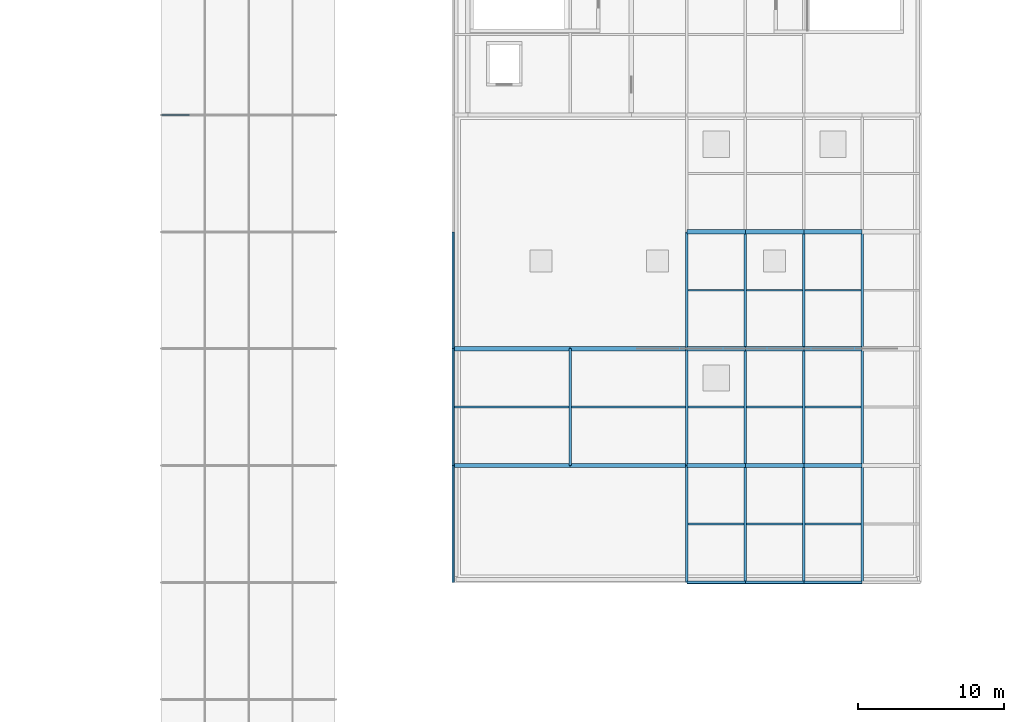
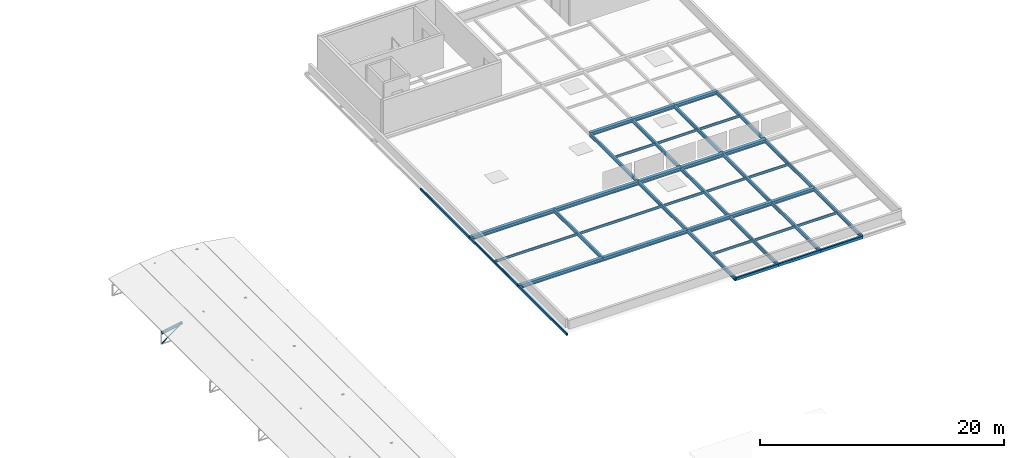
# One storey, part 43 of 54: 43 beams, 2 members.
"""IFC4 building model written with IfcOpenShell, lengths in metres."""

from ifc_helpers import new_model, si_unit, derived_unit, direction, frame, origin, origin_2d, place, context, subcontext, project, spatial, hollow_rectangle, hollow_circle, i_section, extrude, material, material_profile, profile_set, type_object, element, save


model = new_model("IFC4")

# Units and contexts
model_context = context("Model", 3, precision=1e-05, world=origin(), true_north=direction((0.0, 1.0)))
body_context = subcontext(model_context, "Body", "Model", "MODEL_VIEW")
ifc_project = project(units=[si_unit("LENGTHUNIT", "METRE"), si_unit("AREAUNIT", "SQUARE_METRE"), si_unit("VOLUMEUNIT", "CUBIC_METRE"), si_unit("PLANEANGLEUNIT", "RADIAN"), si_unit("MASSUNIT", "GRAM", prefix="KILO"), derived_unit("THERMALTRANSMITTANCEUNIT", [(si_unit("POWERUNIT", "WATT"), 1), (si_unit("LENGTHUNIT", "METRE"), -2), (si_unit("THERMODYNAMICTEMPERATUREUNIT", "KELVIN"), -1)])], contexts=[model_context])

# Site, building, storey
site_placement = place(None, origin())
site = spatial("IfcSite", under=ifc_project, at=site_placement, CompositionType="ELEMENT")
building_placement = place(site_placement, origin())
building = spatial("IfcBuilding", under=site, at=building_placement, Name="Keldorne Ridge Multi-Sports Centre", CompositionType="ELEMENT")
storey_placement = place(building_placement, frame((0.0, 0.0, 22.199951171875)))
storey = spatial("IfcBuildingStorey", under=building, at=storey_placement, Name="ROOF", CompositionType="ELEMENT", Elevation=22.199951171875)

# Beams
ifc_material = material(Name="Steel S355", Category="steel")
ifc_material_profile_1 = material_profile(ifc_material, i_section(OverallWidth=0.169921875, OverallDepth=0.360107421875, WebThickness=0.008056640625, FlangeThickness=0.0126953125, FilletRadius=0.01806640625, at=origin_2d()), Name="IPE 360")
ifc_profile_set_1 = profile_set([ifc_material_profile_1], Name="Steel S355")
beam_type_1 = type_object("IfcBeamType", Name="BM-B-05", PredefinedType="BEAM", material=ifc_profile_set_1)
for number, where, z_axis, x_axis, name in (
    (1, (112.0, 82.0, -0.409912109375), (0.0, 1.0, 0.0), (-1.0, 0.0, 0.0), "ROOF primary girder 112.2"),
    (2, (120.0, 74.0, -0.409912109375), (0.0, 1.0, 0.0), (-1.0, 0.0, 0.0), "ROOF primary girder 120.1"),
    (3, (120.0, 82.0, -0.409912109375), (0.0, 1.0, 0.0), (-1.0, 0.0, 0.0), "ROOF primary girder 120.2"),
    (4, (120.0, 90.0, -0.409912109375), (0.0, 1.0, 0.0), (-1.0, 0.0, 0.0), "ROOF primary girder 120.3"),
    (5, (124.0, 74.0, -0.409912109375), (0.0, 1.0, 0.0), (-1.0, 0.0, 0.0), "ROOF primary girder 124.1"),
    (6, (124.0, 82.0, -0.409912109375), (0.0, 1.0, 0.0), (-1.0, 0.0, 0.0), "ROOF primary girder 124.2"),
    (7, (124.0, 90.0, -0.409912109375), (0.0, 1.0, 0.0), (-1.0, 0.0, 0.0), "ROOF primary girder 124.3"),
    (8, (128.0, 74.0, -0.409912109375), (0.0, 1.0, 0.0), (-1.0, 0.0, 0.0), "ROOF primary girder 128.1"),
    (9, (128.0, 82.0, -0.409912109375), (0.0, 1.0, 0.0), (-1.0, 0.0, 0.0), "ROOF primary girder 128.2"),
    (10, (128.0, 90.0, -0.409912109375), (0.0, 1.0, 0.0), (-1.0, 0.0, 0.0), "ROOF primary girder 128.3"),
    (11, (132.0, 74.0, -0.409912109375), (0.0, 1.0, 0.0), (-1.0, 0.0, 0.0), "ROOF primary girder 132.1"),
    (12, (132.0, 82.0, -0.409912109375), (0.0, 1.0, 0.0), (-1.0, 0.0, 0.0), "ROOF primary girder 132.2"),
    (13, (132.0, 90.0, -0.409912109375), (0.0, 1.0, 0.0), (-1.0, 0.0, 0.0), "ROOF primary girder 132.3"),
):
    element("IfcBeam", number, at=place(storey_placement, frame(where, z_axis=z_axis, x_axis=x_axis)), inside=storey, type_object=beam_type_1, Name=name, PredefinedType="BEAM", context=body_context, shape_type="SweptSolid", body=[
        extrude(i_section(OverallWidth=0.169921875, OverallDepth=0.360107421875, WebThickness=0.008056640625, FlangeThickness=0.0126953125, FilletRadius=0.01806640625, at=origin_2d()), origin(), (0.0, 0.0, 1.0), 8.0),
    ])
ifc_material_profile_2 = material_profile(ifc_material, i_section(OverallWidth=0.300048828125, OverallDepth=0.360107421875, WebThickness=0.012451171875, FlangeThickness=0.0224609375, FilletRadius=0.027099609375, at=origin_2d()), Name="HEB 360")
ifc_profile_set_2 = profile_set([ifc_material_profile_2], Name="Steel S355")
beam_type_2 = type_object("IfcBeamType", Name="BM-B-13", PredefinedType="BEAM", material=ifc_profile_set_2)
for number, where, z_axis, x_axis, name in (
    (14, (104.0, 82.0, -0.409912109375), (1.0, 0.0, 0.0), (0.0, 1.0, 0.0), "ROOF primary beam 1.82"),
    (15, (112.0, 82.0, -0.409912109375), (1.0, 0.0, 0.0), (0.0, 1.0, 0.0), "ROOF primary beam 2.82"),
):
    element("IfcBeam", number, at=place(storey_placement, frame(where, z_axis=z_axis, x_axis=x_axis)), inside=storey, type_object=beam_type_2, Name=name, PredefinedType="BEAM", context=body_context, shape_type="SweptSolid", body=[
        extrude(i_section(OverallWidth=0.300048828125, OverallDepth=0.360107421875, WebThickness=0.012451171875, FlangeThickness=0.0224609375, FilletRadius=0.027099609375, at=origin_2d()), origin(), (0.0, 0.0, 1.0), 8.0),
    ])
for number, where, z_axis, x_axis, name in (
    (16, (120.0, 82.0, -0.409912109375), (1.0, 0.0, 0.0), (0.0, 1.0, 0.0), "ROOF primary beam 3.82"),
    (17, (124.0, 82.0, -0.409912109375), (1.0, 0.0, 0.0), (0.0, 1.0, 0.0), "ROOF primary beam 4.82"),
    (18, (128.0, 82.0, -0.409912109375), (1.0, 0.0, 0.0), (0.0, 1.0, 0.0), "ROOF primary beam 5.82"),
):
    element("IfcBeam", number, at=place(storey_placement, frame(where, z_axis=z_axis, x_axis=x_axis)), inside=storey, type_object=beam_type_2, Name=name, PredefinedType="BEAM", context=body_context, shape_type="SweptSolid", body=[
        extrude(i_section(OverallWidth=0.300048828125, OverallDepth=0.360107421875, WebThickness=0.012451171875, FlangeThickness=0.0224609375, FilletRadius=0.027099609375, at=origin_2d()), origin(), (0.0, 0.0, 1.0), 4.0),
    ])
for number, where, z_axis, x_axis, name in (
    (19, (104.0, 90.0, -0.409912109375), (1.0, 0.0, 0.0), (0.0, 1.0, 0.0), "ROOF primary beam 1.90"),
    (20, (112.0, 90.0, -0.409912109375), (1.0, 0.0, 0.0), (0.0, 1.0, 0.0), "ROOF primary beam 2.90"),
):
    element("IfcBeam", number, at=place(storey_placement, frame(where, z_axis=z_axis, x_axis=x_axis)), inside=storey, type_object=beam_type_2, Name=name, PredefinedType="BEAM", context=body_context, shape_type="SweptSolid", body=[
        extrude(i_section(OverallWidth=0.300048828125, OverallDepth=0.360107421875, WebThickness=0.012451171875, FlangeThickness=0.0224609375, FilletRadius=0.027099609375, at=origin_2d()), origin(), (0.0, 0.0, 1.0), 8.0),
    ])
for number, where, z_axis, x_axis, name in (
    (21, (120.0, 90.0, -0.409912109375), (1.0, 0.0, 0.0), (0.0, 1.0, 0.0), "ROOF primary beam 3.90"),
    (22, (124.0, 90.0, -0.409912109375), (1.0, 0.0, 0.0), (0.0, 1.0, 0.0), "ROOF primary beam 4.90"),
    (23, (128.0, 90.0, -0.409912109375), (1.0, 0.0, 0.0), (0.0, 1.0, 0.0), "ROOF primary beam 5.90"),
    (24, (120.0, 98.0, -0.409912109375), (1.0, 0.0, 0.0), (0.0, 1.0, 0.0), "ROOF primary beam 3.98"),
    (25, (124.0, 98.0, -0.409912109375), (1.0, 0.0, 0.0), (0.0, 1.0, 0.0), "ROOF primary beam 4.98"),
    (26, (128.0, 98.0, -0.409912109375), (1.0, 0.0, 0.0), (0.0, 1.0, 0.0), "ROOF primary beam 5.98"),
):
    element("IfcBeam", number, at=place(storey_placement, frame(where, z_axis=z_axis, x_axis=x_axis)), inside=storey, type_object=beam_type_2, Name=name, PredefinedType="BEAM", context=body_context, shape_type="SweptSolid", body=[
        extrude(i_section(OverallWidth=0.300048828125, OverallDepth=0.360107421875, WebThickness=0.012451171875, FlangeThickness=0.0224609375, FilletRadius=0.027099609375, at=origin_2d()), origin(), (0.0, 0.0, 1.0), 4.0),
    ])
ifc_material_profile_3 = material_profile(ifc_material, i_section(OverallWidth=0.1201171875, OverallDepth=0.239990234375, WebThickness=0.006103515625, FlangeThickness=0.009765625, FilletRadius=0.014892578125, at=origin_2d()), Name="IPE 240")
ifc_profile_set_3 = profile_set([ifc_material_profile_3], Name="Steel S355")
beam_type_3 = type_object("IfcBeamType", Name="BM-J-04", PredefinedType="JOIST", material=ifc_profile_set_3)
beam_1_placement = place(storey_placement, frame((104.074951171875, 86.0, -0.349853515625), z_axis=(1.0, 0.0, 0.0), x_axis=(0.0, 1.0, 0.0)))
element("IfcBeam", 27, at=beam_1_placement, inside=storey, type_object=beam_type_3, Name="ROOF secondary joist 1.2", PredefinedType="JOIST", context=body_context, shape_type="SweptSolid", body=[
    extrude(i_section(OverallWidth=0.1201171875, OverallDepth=0.239990234375, WebThickness=0.006103515625, FlangeThickness=0.009765625, FilletRadius=0.014892578125, at=origin_2d()), origin(), (0.0, 0.0, 1.0), 7.840087890625),
])
beam_2_placement = place(storey_placement, frame((112.0849609375, 86.0, -0.349853515625), z_axis=(1.0, 0.0, 0.0), x_axis=(0.0, 1.0, 0.0)))
element("IfcBeam", 28, at=beam_2_placement, inside=storey, type_object=beam_type_3, Name="ROOF secondary joist 2.2", PredefinedType="JOIST", context=body_context, shape_type="SweptSolid", body=[
    extrude(i_section(OverallWidth=0.1201171875, OverallDepth=0.239990234375, WebThickness=0.006103515625, FlangeThickness=0.009765625, FilletRadius=0.014892578125, at=origin_2d()), origin(), (0.0, 0.0, 1.0), 7.830078125),
])
for number, where, z_axis, x_axis, name in (
    (29, (120.0849609375, 78.0, -0.349853515625), (1.0, 0.0, 0.0), (0.0, 1.0, 0.0), "ROOF secondary joist 3.1"),
    (30, (120.0849609375, 86.0, -0.349853515625), (1.0, 0.0, 0.0), (0.0, 1.0, 0.0), "ROOF secondary joist 3.2"),
    (31, (120.0849609375, 94.0, -0.349853515625), (1.0, 0.0, 0.0), (0.0, 1.0, 0.0), "ROOF secondary joist 3.3"),
    (32, (124.0849609375, 78.0, -0.349853515625), (1.0, 0.0, 0.0), (0.0, 1.0, 0.0), "ROOF secondary joist 4.1"),
    (33, (124.0849609375, 86.0, -0.349853515625), (1.0, 0.0, 0.0), (0.0, 1.0, 0.0), "ROOF secondary joist 4.2"),
    (34, (124.0849609375, 94.0, -0.349853515625), (1.0, 0.0, 0.0), (0.0, 1.0, 0.0), "ROOF secondary joist 4.3"),
    (35, (128.0849609375, 78.0, -0.349853515625), (1.0, 0.0, 0.0), (0.0, 1.0, 0.0), "ROOF secondary joist 5.1"),
    (36, (128.0849609375, 86.0, -0.349853515625), (1.0, 0.0, 0.0), (0.0, 1.0, 0.0), "ROOF secondary joist 5.2"),
    (37, (128.0849609375, 94.0, -0.349853515625), (1.0, 0.0, 0.0), (0.0, 1.0, 0.0), "ROOF secondary joist 5.3"),
):
    element("IfcBeam", number, at=place(storey_placement, frame(where, z_axis=z_axis, x_axis=x_axis)), inside=storey, type_object=beam_type_3, Name=name, PredefinedType="JOIST", context=body_context, shape_type="SweptSolid", body=[
        extrude(i_section(OverallWidth=0.1201171875, OverallDepth=0.239990234375, WebThickness=0.006103515625, FlangeThickness=0.009765625, FilletRadius=0.014892578125, at=origin_2d()), origin(), (0.0, 0.0, 1.0), 3.830078125),
    ])
ifc_material_profile_4 = material_profile(ifc_material, hollow_rectangle(XDim=0.199951171875, YDim=0.300048828125, WallThickness=0.012451171875, InnerFilletRadius=0.012451171875, OuterFilletRadius=0.02490234375, at=origin_2d()), Name="RHS 300x200x12.5")
ifc_profile_set_4 = profile_set([ifc_material_profile_4], Name="Steel S355")
beam_type_4 = type_object("IfcBeamType", Name="BM-SP-01", PredefinedType="SPANDREL", material=ifc_profile_set_4)
for number, where, z_axis, x_axis, name in (
    (38, (120.0, 74.0, -0.3798828125), (1.0, 0.0, 0.0), (0.0, 1.0, 0.0), "ROOF primary beam 3.74"),
    (39, (124.0, 74.0, -0.3798828125), (1.0, 0.0, 0.0), (0.0, 1.0, 0.0), "ROOF primary beam 4.74"),
    (40, (128.0, 74.0, -0.3798828125), (1.0, 0.0, 0.0), (0.0, 1.0, 0.0), "ROOF primary beam 5.74"),
):
    element("IfcBeam", number, at=place(storey_placement, frame(where, z_axis=z_axis, x_axis=x_axis)), inside=storey, type_object=beam_type_4, Name=name, PredefinedType="SPANDREL", context=body_context, shape_type="SweptSolid", body=[
        extrude(hollow_rectangle(XDim=0.199951171875, YDim=0.300048828125, WallThickness=0.012451171875, InnerFilletRadius=0.012451171875, OuterFilletRadius=0.02490234375, at=origin_2d()), origin(), (0.0, 0.0, 1.0), 4.0),
    ])
ifc_material_profile_5 = material_profile(ifc_material, hollow_rectangle(XDim=0.14990234375, YDim=0.25, WallThickness=0.010009765625, InnerFilletRadius=0.010009765625, OuterFilletRadius=0.02001953125, at=origin_2d()), Name="RHS 250x150x10")
ifc_profile_set_5 = profile_set([ifc_material_profile_5], Name="Steel S355")
beam_type_5 = type_object("IfcBeamType", Name="BM-SP-02", PredefinedType="SPANDREL", material=ifc_profile_set_5)
for number, where, z_axis, x_axis, name in (
    (41, (104.0, 74.0, -0.35498046875), (0.0, 1.0, 0.0), (-1.0, 0.0, 0.0), "ROOF primary girder 104.1"),
    (42, (104.0, 82.0, -0.35498046875), (0.0, 1.0, 0.0), (-1.0, 0.0, 0.0), "ROOF primary girder 104.2"),
    (43, (104.0, 90.0, -0.35498046875), (0.0, 1.0, 0.0), (-1.0, 0.0, 0.0), "ROOF primary girder 104.3"),
):
    element("IfcBeam", number, at=place(storey_placement, frame(where, z_axis=z_axis, x_axis=x_axis)), inside=storey, type_object=beam_type_5, Name=name, PredefinedType="SPANDREL", context=body_context, shape_type="SweptSolid", body=[
        extrude(hollow_rectangle(XDim=0.14990234375, YDim=0.25, WallThickness=0.010009765625, InnerFilletRadius=0.010009765625, OuterFilletRadius=0.02001953125, at=origin_2d()), origin(), (0.0, 0.0, 1.0), 8.0),
    ])

# Members
ifc_material_profile_6 = material_profile(ifc_material, i_section(OverallWidth=0.135009765625, OverallDepth=0.27001953125, WebThickness=0.006591796875, FlangeThickness=0.01025390625, FilletRadius=0.014892578125, at=origin_2d()), Name="IPE 270")
ifc_profile_set_6 = profile_set([ifc_material_profile_6], Name="Steel S355")
member_type_1 = type_object("IfcMemberType", Name="MEM-RF-02", PredefinedType="RAFTER", material=ifc_profile_set_6)
member_1_placement = place(storey_placement, frame((84.0, 106.0, -12.639892578125), z_axis=(0.982435006317, 0.0, 0.186605086649), x_axis=(0.0, 1.0, 0.0)))
element("IfcMember", 44, at=member_1_placement, inside=storey, type_object=member_type_1, Name="Public Passage bowstring arch top chord 13.1", PredefinedType="RAFTER", context=body_context, shape_type="SweptSolid", body=[
    extrude(i_section(OverallWidth=0.135009765625, OverallDepth=0.27001953125, WebThickness=0.006591796875, FlangeThickness=0.01025390625, FilletRadius=0.014892578125, at=origin_2d()), origin(), (0.0, 0.0, 1.0), 2.03564453125),
])
ifc_material_profile_7 = material_profile(ifc_material, hollow_circle(Radius=0.05078125, WallThickness=0.00634765625, at=origin_2d()), Name="CHS 101.6x6.3")
ifc_profile_set_7 = profile_set([ifc_material_profile_7], Name="Steel S355")
member_type_2 = type_object("IfcMemberType", Name="MEM-TD-05", PredefinedType="BRACE", material=ifc_profile_set_7)
member_2_placement = place(storey_placement, frame((84.0, 106.0, -13.719970703125), z_axis=(0.8076945033, 0.0, 0.589601212125), x_axis=(0.0, 1.0, 0.0)))
element("IfcMember", 45, at=member_2_placement, inside=storey, type_object=member_type_2, Name="Public Passage bowstring web diagonal 13.1", PredefinedType="BRACE", context=body_context, shape_type="SweptSolid", body=[
    extrude(hollow_circle(Radius=0.05078125, WallThickness=0.00634765625, at=origin_2d()), origin(), (0.0, 0.0, 1.0), 2.47607421875),
])

save(model, "model.ifc")
